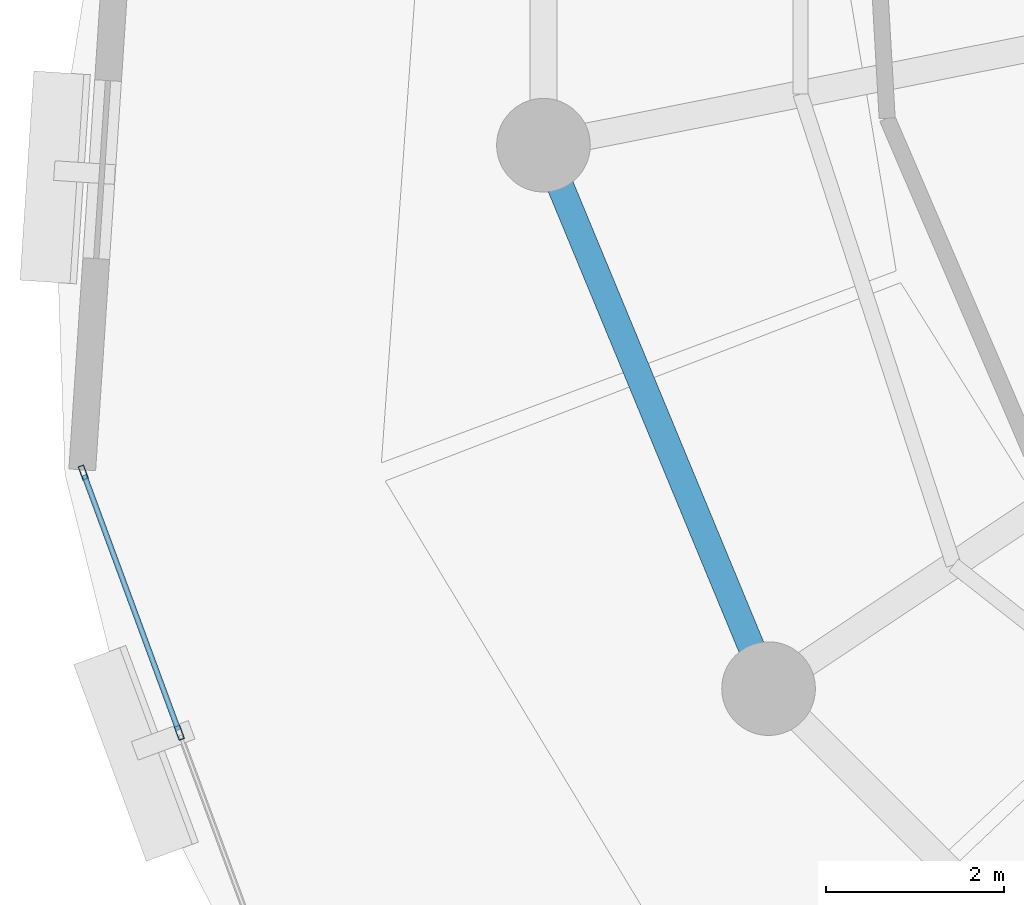
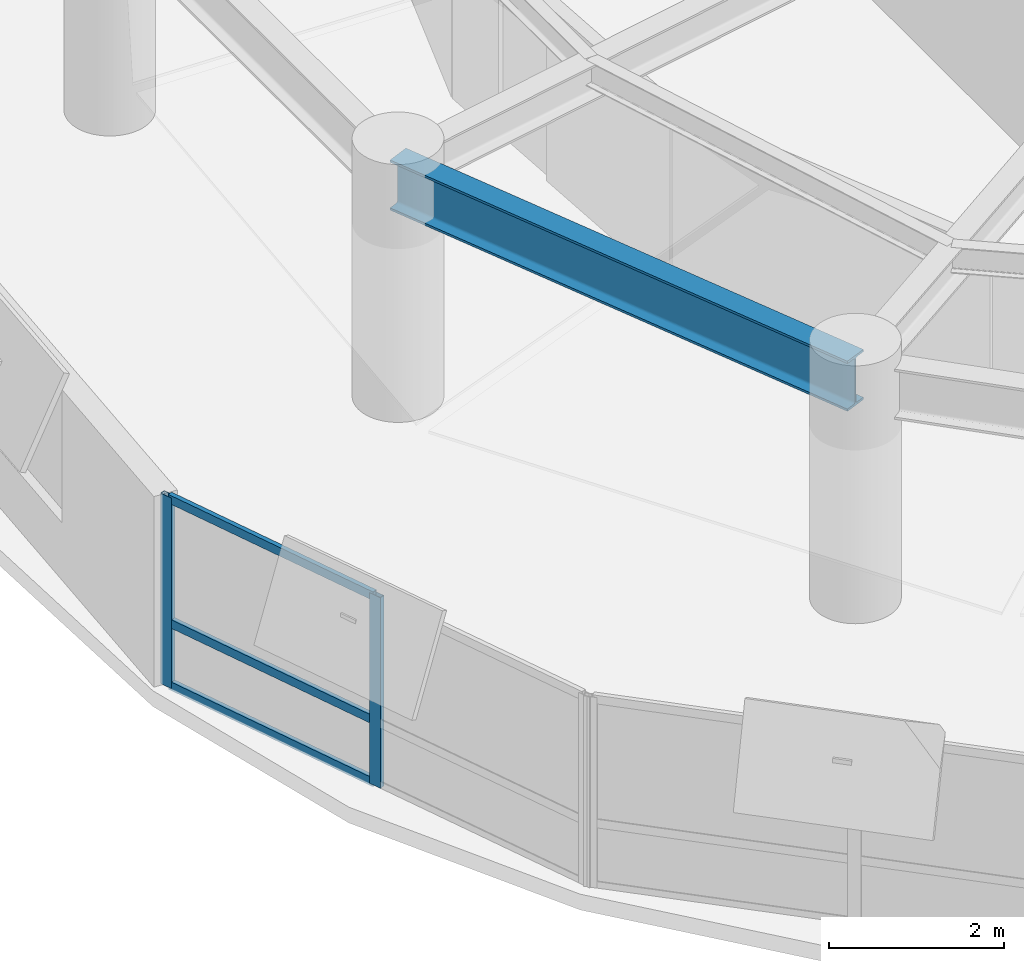
# One storey, part 4 of 12: 5 members, 1 beam, 1 element without a shape of its own.
"""IFC4 building model written with IfcOpenShell, lengths in metres."""

import ifcopenshell
import ifcopenshell.guid

model = None  # the IFC model being written
_history = None  # IfcOwnerHistory: only IFC2X3 demands one
_inside = {}  # id of a spatial element -> (the spatial element, [elements in it])
_under = {}  # id of a project, library or spatial element -> (it, [spatial elements below it])
_declared = {}  # id of a project -> (the project, [libraries it declares])
_typed = {}  # id of a type object -> (the type object, [elements of that type])
_made_of = {}  # id of a material, layer set ... -> (it, [elements and type objects made of it])


def new_model(schema):
    """Start an empty IFC model of exactly this schema.

    Asked for "IFC4X3", IfcOpenShell would pick the latest addendum, in which some entities
    have other attributes; the version numbers below select the first issue.
    IFC2X3 requires an IfcOwnerHistory on every rooted entity: one is made here for all.
    """
    global model, _history
    if schema == "IFC4X3":
        model = ifcopenshell.file(schema_version=(4, 3, 0, 0))
    else:
        model = ifcopenshell.file(schema=schema)
    _inside.clear()
    _under.clear()
    _declared.clear()
    _typed.clear()
    _made_of.clear()
    _history = None
    if model.schema == "IFC2X3":
        org = make("IfcOrganization", Name="unknown")
        user = make(
            "IfcPersonAndOrganization",
            ThePerson=make("IfcPerson", FamilyName="unknown"),
            TheOrganization=org,
        )
        app = make(
            "IfcApplication",
            ApplicationDeveloper=org,
            Version="unknown",
            ApplicationFullName="unknown",
            ApplicationIdentifier="unknown",
        )
        _history = make(
            "IfcOwnerHistory",
            OwningUser=user,
            OwningApplication=app,
            ChangeAction="ADDED",
            CreationDate=0,
        )
    return model


def make(cls, **values):
    """One entity of the class cls with the attributes given. An attribute that is None is left unset."""
    return model.create_entity(
        cls, **{name: value for name, value in values.items() if value is not None}
    )


def rooted(cls, **values):
    """An entity with a GlobalId (a new one), such as an element, a storey or a relation."""
    return make(cls, GlobalId=ifcopenshell.guid.new(), OwnerHistory=_history, **values)


def si_unit(unit_type, name, prefix=None):
    """IfcSIUnit, for example si_unit("LENGTHUNIT", "METRE", prefix="MILLI")."""
    return make("IfcSIUnit", UnitType=unit_type, Prefix=prefix, Name=name)


def assignment(units):
    """IfcUnitAssignment: the units of a project."""
    return None if units is None else make("IfcUnitAssignment", Units=units)


def point(xyz):
    """IfcCartesianPoint."""
    return None if xyz is None else make("IfcCartesianPoint", Coordinates=xyz)


def direction(xyz):
    """IfcDirection."""
    return None if xyz is None else make("IfcDirection", DirectionRatios=xyz)


def frame(location, z_axis=None, x_axis=None):
    """IfcAxis2Placement3D, a coordinate frame: its origin and axes. An axis left out is left unset."""
    return make(
        "IfcAxis2Placement3D",
        Location=point(location),
        Axis=direction(z_axis),
        RefDirection=direction(x_axis),
    )


def frame_2d(location, x_axis=None):
    """IfcAxis2Placement2D, a coordinate frame in the plane: its origin and x axis."""
    return make(
        "IfcAxis2Placement2D", Location=point(location), RefDirection=direction(x_axis)
    )


def origin():
    """The frame at (0, 0, 0) with its axes left unset."""
    return frame((0.0, 0.0, 0.0))


def origin_2d():
    """The frame at (0, 0) in the plane with its x axis left unset."""
    return frame_2d((0.0, 0.0))


def place(relative_to, where):
    """IfcLocalPlacement: puts the frame where relative to a parent placement (None: the world)."""
    return make(
        "IfcLocalPlacement", PlacementRelTo=relative_to, RelativePlacement=where
    )


def context(
    kind, dimensions, precision=None, world=None, true_north=None, identifier=None
):
    """IfcGeometricRepresentationContext, for example the 3D "Model" context."""
    return make(
        "IfcGeometricRepresentationContext",
        ContextIdentifier=identifier,
        ContextType=kind,
        CoordinateSpaceDimension=dimensions,
        Precision=precision,
        WorldCoordinateSystem=world,
        TrueNorth=true_north,
    )


def subcontext(parent, identifier, kind, view, scale=None):
    """IfcGeometricRepresentationSubContext, for example "Body" below "Model"."""
    return make(
        "IfcGeometricRepresentationSubContext",
        ContextIdentifier=identifier,
        ContextType=kind,
        ParentContext=parent,
        TargetScale=scale,
        TargetView=view,
    )


def project(units=None, contexts=None):
    """IfcProject with its units and contexts."""
    return rooted(
        "IfcProject",
        Name="project",
        RepresentationContexts=contexts,
        UnitsInContext=assignment(units),
    )


def spatial(cls, under=None, at=None, **own):
    """A site, building, storey or space (cls), placed at a placement, below another one or the project."""
    s = rooted(cls, ObjectPlacement=at, **own)
    if under is not None:
        _under.setdefault(under.id(), (under, []))[1].append(s)
    return s


def profile(cls, at=None, kind="AREA", **sizes):
    """A parametric profile (cls). Its sizes go by their IFC names, for example OverallWidth=200.0."""
    return make(cls, ProfileType=kind, Position=at, **sizes)


def hollow_rectangle(**sizes):
    """IfcRectangleHollowProfileDef."""
    return profile("IfcRectangleHollowProfileDef", **sizes)


def i_section(**sizes):
    """IfcIShapeProfileDef."""
    return profile("IfcIShapeProfileDef", **sizes)


def extrude(swept, where, along, depth):
    """IfcExtrudedAreaSolid: the profile swept, set in the frame where, extruded along a direction by depth."""
    return make(
        "IfcExtrudedAreaSolid",
        SweptArea=swept,
        Position=where,
        ExtrudedDirection=direction(along),
        Depth=depth,
    )


def shape(context_of_items, identifier, shape_type, items):
    """IfcShapeRepresentation: the items that make up one representation, for example the "Body"."""
    return make(
        "IfcShapeRepresentation",
        ContextOfItems=context_of_items,
        RepresentationIdentifier=identifier,
        RepresentationType=shape_type,
        Items=items,
    )


def material(Name=None, Category=None):
    """IfcMaterial."""
    return make("IfcMaterial", Name=Name, Category=Category)


def layer(
    of_material, thickness, ventilated=None, Name=None, Category=None, Priority=None
):
    """IfcMaterialLayer: one layer of a wall or slab, of a material (None: an air gap)."""
    return make(
        "IfcMaterialLayer",
        Material=of_material,
        LayerThickness=thickness,
        IsVentilated=ventilated,
        Name=Name,
        Category=Category,
        Priority=Priority,
    )


def layer_set(layers, Name=None):
    """IfcMaterialLayerSet."""
    return make("IfcMaterialLayerSet", MaterialLayers=layers, LayerSetName=Name)


def material_profile(
    of_material, cross_section, Name=None, Category=None, Priority=None
):
    """IfcMaterialProfile: a cross section and its material."""
    return make(
        "IfcMaterialProfile",
        Name=Name,
        Material=of_material,
        Profile=cross_section,
        Priority=Priority,
        Category=Category,
    )


def profile_set(profiles, Name=None, composite=None):
    """IfcMaterialProfileSet."""
    return make(
        "IfcMaterialProfileSet",
        Name=Name,
        MaterialProfiles=profiles,
        CompositeProfile=composite,
    )


def made_of(thing, what):
    """Note that an element or type object is made of a material, layer set ...; save() writes the relation."""
    if what is not None:
        _made_of.setdefault(what.id(), (what, []))[1].append(thing)
    return thing


def type_object(cls, material=None, **own):
    """A type object (cls), such as IfcWallType, which elements share."""
    return made_of(rooted(cls, **own), material)


def element(
    cls,
    number,
    at=None,
    inside=None,
    cuts=None,
    type_object=None,
    material=None,
    context=None,
    identifier="Body",
    shape_type=None,
    held_by="IfcProductDefinitionShape",
    body=None,
    shapes=None,
    **own,
):
    """One element of the class cls, such as IfcWall. Its Tag is "e" and its number.

    at: its placement. inside: the storey or other place that contains it. cuts: it is an
    opening in that element (IfcRelVoidsElement). A single representation is given by context,
    identifier, shape_type and body (its items); several are given by shapes. held_by: the class
    of the entity that holds the representations. save() writes the other relations.
    """
    e = rooted(cls, Tag="e%d" % number, ObjectPlacement=at, **own)
    if body is not None:
        shapes = [shape(context, identifier, shape_type, body)]
    if shapes is not None:
        e.Representation = make(held_by, Representations=shapes)
    if inside is not None:
        _inside.setdefault(inside.id(), (inside, []))[1].append(e)
    if cuts is not None:
        rooted(
            "IfcRelVoidsElement", RelatingBuildingElement=cuts, RelatedOpeningElement=e
        )
    if type_object is not None:
        _typed.setdefault(type_object.id(), (type_object, []))[1].append(e)
    return made_of(e, material)


def aggregate(whole, parts):
    """IfcRelAggregates: a whole, such as a stair, and the parts it consists of."""
    return rooted("IfcRelAggregates", RelatingObject=whole, RelatedObjects=parts)


def save(model, path):
    """Write the relations noted so far, then the file.

    IfcRelAggregates (storeys below a building ...), IfcRelContainedInSpatialStructure (elements
    in a storey), IfcRelDefinesByType, IfcRelAssociatesMaterial and IfcRelDeclares: one each for
    every whole, place, type object, material and project.
    """
    for whole, parts in _under.values():
        aggregate(whole, parts)
    for where, things in _inside.values():
        rooted(
            "IfcRelContainedInSpatialStructure",
            RelatedElements=things,
            RelatingStructure=where,
        )
    for kind, things in _typed.values():
        rooted("IfcRelDefinesByType", RelatedObjects=things, RelatingType=kind)
    for what, things in _made_of.values():
        rooted("IfcRelAssociatesMaterial", RelatedObjects=things, RelatingMaterial=what)
    for by, libraries in _declared.values():
        rooted("IfcRelDeclares", RelatingContext=by, RelatedDefinitions=libraries)
    model.write(path)


model = new_model("IFC4")

# Units and contexts
model_context = context("Model", 3, precision=1e-05, world=origin(), true_north=direction((0.0, 1.0)))
body_context = subcontext(model_context, "Body", "Model", "MODEL_VIEW")
ifc_project = project(units=[si_unit("LENGTHUNIT", "METRE"), si_unit("AREAUNIT", "SQUARE_METRE"), si_unit("VOLUMEUNIT", "CUBIC_METRE"), si_unit("PLANEANGLEUNIT", "RADIAN"), si_unit("MASSUNIT", "GRAM", prefix="KILO"), si_unit("THERMODYNAMICTEMPERATUREUNIT", "KELVIN"), si_unit("POWERUNIT", "WATT")], contexts=[model_context])

# Site, building, storey
site_placement = place(None, origin())
site = spatial("IfcSite", under=ifc_project, at=site_placement, CompositionType="ELEMENT")
building_placement = place(site_placement, origin())
building = spatial("IfcBuilding", under=site, at=building_placement, Name="Ocrelia Relay Tower", CompositionType="ELEMENT")
storey_placement = place(building_placement, frame((0.0, 0.0, 173.60009765625)))
storey = spatial("IfcBuildingStorey", under=building, at=storey_placement, Name="L41", CompositionType="ELEMENT", Elevation=173.60009765625)

# Beam
ifc_material_1 = material(Name="Steel S355", Category="steel")
ifc_material_profile_1 = material_profile(ifc_material_1, i_section(OverallWidth=0.300048828125, OverallDepth=0.699951171875, WebThickness=0.01708984375, FlangeThickness=0.031982421875, FilletRadius=0.027099609375, at=origin_2d()), Name="HEB 700")
ifc_profile_set_1 = profile_set([ifc_material_profile_1], Name="Steel S355")
beam_type = type_object("IfcBeamType", Name="BM-HEB700", PredefinedType="BEAM", material=ifc_profile_set_1)
beam_placement = place(storey_placement, frame((17.4248046875, 22.702880859375, 3.02978515625), z_axis=(0.382687508402, -0.923877844151, 0.0), x_axis=(0.923877844151, 0.382687508402, 0.0)))
element("IfcBeam", 1, at=beam_placement, inside=storey, type_object=beam_type, Name="L41 Perimeter Spandrel Beam S09", PredefinedType="BEAM", context=body_context, shape_type="SweptSolid", body=[
    extrude(i_section(OverallWidth=0.300048828125, OverallDepth=0.699951171875, WebThickness=0.01708984375, FlangeThickness=0.031982421875, FilletRadius=0.027099609375, at=origin_2d()), origin(), (0.0, 0.0, 1.0), 6.593994140625),
])

# Curtain wall, members
ifc_material_2 = material(Name="Aluminium and solar-control low-E glass", Category="aluminium")
ifc_layer = layer(ifc_material_2, 0.179931640625, Name="Aluminium and solar-control low-E glass")
ifc_layer_set = layer_set([ifc_layer], Name="Aluminium and solar-control low-E glass")
curtain_wall_type = type_object("IfcCurtainWallType", Name="CW-SYS-Z3-CLOU", PredefinedType="NOTDEFINED", material=ifc_layer_set)
curtain_wall_placement = place(storey_placement, origin())
curtain_wall = element("IfcCurtainWall", 2, at=curtain_wall_placement, inside=storey, type_object=curtain_wall_type, Name="L41 Elliptical Tower Curtain Wall Bay 09", PredefinedType="NOTDEFINED")
ifc_material_3 = material(Name="Anodised bronze aluminium", Category="aluminium")
ifc_material_profile_2 = material_profile(ifc_material_3, hollow_rectangle(XDim=0.06494140625, YDim=0.159912109375, WallThickness=0.0048828125, at=origin_2d()), Name="CW-MUL-160x65")
ifc_profile_set_2 = profile_set([ifc_material_profile_2], Name="Anodised bronze aluminium")
member_type_1 = type_object("IfcMemberType", Name="CW-SYS-Z3-CLOU-MUL", PredefinedType="MULLION", material=ifc_profile_set_2)
member_1_placement = place(storey_placement, frame((12.265625, 19.033203125, 0.0), z_axis=(0.0, 0.0, 1.0), x_axis=(0.938072442928, 0.346439160344, 0.0)))
member_1 = element("IfcMember", 3, at=member_1_placement, type_object=member_type_1, Name="CW-Z3 mullion 1", PredefinedType="MULLION", context=body_context, shape_type="SweptSolid", body=[
    extrude(hollow_rectangle(XDim=0.06494140625, YDim=0.159912109375, WallThickness=0.0048828125, at=origin_2d()), origin(), (0.0, 0.0, 1.0), 2.659912109375),
])
member_2_placement = place(storey_placement, frame((13.342529296875, 16.11669921875, 0.0), z_axis=(0.0, 0.0, 1.0), x_axis=(0.938072442928, 0.346439160344, 0.0)))
member_2 = element("IfcMember", 4, at=member_2_placement, type_object=member_type_1, Name="CW-Z3 mullion 2", PredefinedType="MULLION", context=body_context, shape_type="SweptSolid", body=[
    extrude(hollow_rectangle(XDim=0.06494140625, YDim=0.159912109375, WallThickness=0.0048828125, at=origin_2d()), origin(), (0.0, 0.0, 1.0), 2.659912109375),
])
ifc_material_profile_3 = material_profile(ifc_material_3, hollow_rectangle(XDim=0.06005859375, YDim=0.1201171875, WallThickness=0.0048828125, at=origin_2d()), Name="CW-TRN-120x60")
ifc_profile_set_3 = profile_set([ifc_material_profile_3], Name="Anodised bronze aluminium")
member_type_2 = type_object("IfcMemberType", Name="CW-SYS-Z3-CLOU-TRN", PredefinedType="USERDEFINED", material=ifc_profile_set_3)
member_3_placement = place(storey_placement, frame((12.27685546875, 19.002685546875, 0.02978515625), z_axis=(0.346407745142, -0.938084044266, 0.0), x_axis=(0.938084044266, 0.346407745142, 0.0)))
member_3 = element("IfcMember", 5, at=member_3_placement, type_object=member_type_2, Name="CW-Z3 transom 1.1", ObjectType="TRANSOM", PredefinedType="USERDEFINED", context=body_context, shape_type="SweptSolid", body=[
    extrude(hollow_rectangle(XDim=0.06005859375, YDim=0.1201171875, WallThickness=0.0048828125, at=origin_2d()), origin(), (0.0, 0.0, 1.0), 3.0439453125),
])
member_4_placement = place(storey_placement, frame((12.27685546875, 19.002685546875, 0.89990234375), z_axis=(0.346407745142, -0.938084044266, 0.0), x_axis=(0.938084044266, 0.346407745142, 0.0)))
member_4 = element("IfcMember", 6, at=member_4_placement, type_object=member_type_2, Name="CW-Z3 transom 1.2", ObjectType="TRANSOM", PredefinedType="USERDEFINED", context=body_context, shape_type="SweptSolid", body=[
    extrude(hollow_rectangle(XDim=0.06005859375, YDim=0.1201171875, WallThickness=0.0048828125, at=origin_2d()), origin(), (0.0, 0.0, 1.0), 3.0439453125),
])
member_5_placement = place(storey_placement, frame((12.27685546875, 19.002685546875, 2.6298828125), z_axis=(0.346407745142, -0.938084044266, 0.0), x_axis=(0.938084044266, 0.346407745142, 0.0)))
member_5 = element("IfcMember", 7, at=member_5_placement, type_object=member_type_2, Name="CW-Z3 transom 1.3", ObjectType="TRANSOM", PredefinedType="USERDEFINED", context=body_context, shape_type="SweptSolid", body=[
    extrude(hollow_rectangle(XDim=0.06005859375, YDim=0.1201171875, WallThickness=0.0048828125, at=origin_2d()), origin(), (0.0, 0.0, 1.0), 3.0439453125),
])
aggregate(curtain_wall, [member_1, member_2, member_3, member_4, member_5])

save(model, "model.ifc")
